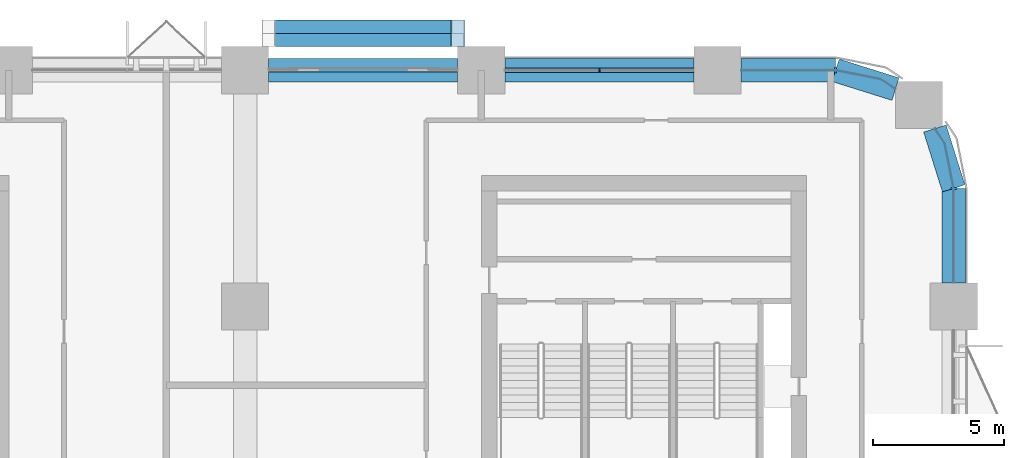
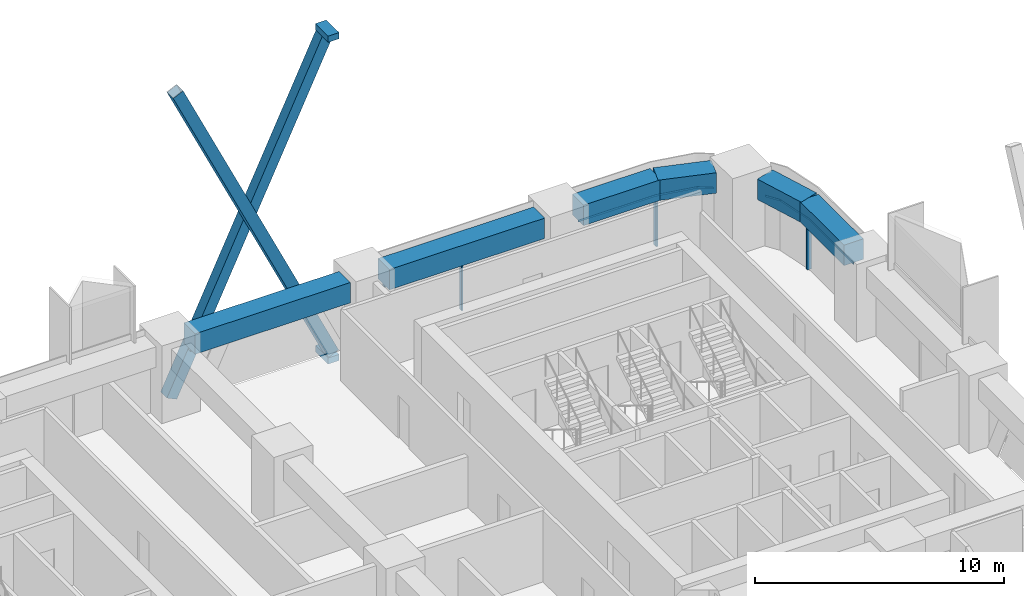
# One storey, part 9 of 19: 11 members, 6 beams, 4 elements without a shape of their own.
"""IFC4 building model written with IfcOpenShell, lengths in metres."""

from ifc_helpers import new_model, si_unit, direction, frame, origin, origin_2d, place, context, subcontext, project, spatial, polyline, rectangle, hollow_rectangle, outline, extrude, material, layer, layer_set, material_profile, profile_set, type_object, element, aggregate, save


model = new_model("IFC4")

# Units and contexts
model_context = context("Model", 3, precision=1e-05, world=origin(), true_north=direction((0.0, 1.0)))
body_context = subcontext(model_context, "Body", "Model", "MODEL_VIEW")
ifc_project = project(units=[si_unit("LENGTHUNIT", "METRE"), si_unit("AREAUNIT", "SQUARE_METRE"), si_unit("VOLUMEUNIT", "CUBIC_METRE"), si_unit("PLANEANGLEUNIT", "RADIAN"), si_unit("MASSUNIT", "GRAM", prefix="KILO")], contexts=[model_context])

# Site, building, storey
site_placement = place(None, origin())
site = spatial("IfcSite", under=ifc_project, at=site_placement, CompositionType="ELEMENT")
building_placement = place(site_placement, origin())
building = spatial("IfcBuilding", under=site, at=building_placement, Name="Tessera Arch", CompositionType="ELEMENT")
storey_placement = place(building_placement, frame((0.0, 0.0, 93.0)))
storey = spatial("IfcBuildingStorey", under=building, at=storey_placement, Name="L21", CompositionType="ELEMENT", Elevation=93.0)

# Members
ifc_material_1 = material(Name="Steel A500 Gr C", Category="steel")
ifc_material_profile_1 = material_profile(ifc_material_1, hollow_rectangle(XDim=0.508056640625, YDim=0.508056640625, WallThickness=0.0146484375, at=origin_2d()), Name="HSS20x20x5/8")
ifc_profile_set_1 = profile_set([ifc_material_profile_1], Name="Steel A500 Gr C")
member_type_1 = type_object("IfcMemberType", Name="Brace HSS20x20x5/8 Steel A500 Gr C", PredefinedType="BRACE", material=ifc_profile_set_1)
for number, where, z_axis, x_axis, name in (
    (1, (35.10009765625, 55.154052734375, -0.800048828125), (-0.428096952335, 0.0, 0.903732814167), (0.0, -1.0, 0.0), "Brace N54.0-1 A L21-L24"),
    (2, (27.89990234375, 55.662109375, -0.800048828125), (0.428096952335, 0.0, 0.903732814167), (0.0, 1.0, 0.0), "Brace N54.0-1 B L21-L24"),
):
    element("IfcMember", number, at=place(storey_placement, frame(where, z_axis=z_axis, x_axis=x_axis)), inside=storey, type_object=member_type_1, Name=name, PredefinedType="BRACE", context=body_context, shape_type="SweptSolid", body=[
        extrude(hollow_rectangle(XDim=0.508056640625, YDim=0.508056640625, WallThickness=0.0146484375, at=origin_2d()), origin(), (0.0, 0.0, 1.0), 16.819091796875),
    ])

# Curtain wall, members
ifc_material_2 = material(Name="CW1 curtain wall")
curtain_wall_type_1 = type_object("IfcCurtainWallType", Name="CW1 curtain wall", PredefinedType="NOTDEFINED", material=ifc_material_2)
curtain_wall_1_placement = place(storey_placement, origin())
curtain_wall_1 = element("IfcCurtainWall", 3, at=curtain_wall_1_placement, inside=storey, type_object=curtain_wall_type_1, Name="CW1 curtain wall N54.0/0 L21", PredefinedType="NOTDEFINED")
ifc_material_3 = material(Name="Anodised aluminium pale metal", Category="aluminium")
ifc_material_profile_2 = material_profile(ifc_material_3, rectangle(XDim=0.159912109375, YDim=0.06005859375, at=origin_2d()), Name="AL 60x160")
ifc_profile_set_2 = profile_set([ifc_material_profile_2], Name="Anodised aluminium pale metal")
member_type_2 = type_object("IfcMemberType", Name="CW1 mullion", PredefinedType="MULLION", material=ifc_profile_set_2)
member_1_placement = place(storey_placement, frame((40.5, 54.0, 0.0), z_axis=(0.0, 0.0, 1.0), x_axis=(0.0, -1.0, 0.0)))
member_1 = element("IfcMember", 4, at=member_1_placement, type_object=member_type_2, Name="CW1 mullion N54.0/0 1", PredefinedType="MULLION", context=body_context, shape_type="SweptSolid", body=[
    extrude(rectangle(XDim=0.159912109375, YDim=0.06005859375, at=origin_2d()), origin(), (0.0, 0.0, 1.0), 2.39990234375),
])
ifc_material_4 = material(Name="Anodised aluminium pale metal", Category="aluminium")
ifc_material_profile_3 = material_profile(ifc_material_4, rectangle(XDim=0.159912109375, YDim=0.10009765625, at=origin_2d()), Name="AL 160x100")
ifc_profile_set_3 = profile_set([ifc_material_profile_3], Name="Anodised aluminium pale metal")
member_type_3 = type_object("IfcMemberType", Name="CW1 transom", PredefinedType="USERDEFINED", material=ifc_profile_set_3)
member_2_placement = place(storey_placement, frame((44.10009765625, 54.0, 2.449951171875), z_axis=(-1.0, 0.0, 0.0), x_axis=(0.0, -1.0, 0.0)))
member_2 = element("IfcMember", 5, at=member_2_placement, type_object=member_type_3, Name="CW1 transom N54.0/0 1.1", ObjectType="TRANSOM", PredefinedType="USERDEFINED", context=body_context, shape_type="SweptSolid", body=[
    extrude(rectangle(XDim=0.159912109375, YDim=0.10009765625, at=origin_2d()), origin(), (0.0, 0.0, 1.0), 7.2001953125),
])
aggregate(curtain_wall_1, [member_1, member_2])

# Curtain wall, member
ifc_material_5 = material(Name="CW2 curtain wall")
curtain_wall_type_2 = type_object("IfcCurtainWallType", Name="CW2 curtain wall", PredefinedType="NOTDEFINED", material=ifc_material_5)
curtain_wall_2_placement = place(storey_placement, origin())
curtain_wall_2 = element("IfcCurtainWall", 6, at=curtain_wall_2_placement, inside=storey, type_object=curtain_wall_type_2, Name="CW2 curtain wall E54.0/5 L21", PredefinedType="NOTDEFINED")
ifc_material_6 = material(Name="Anodised aluminium pale metal", Category="aluminium")
ifc_material_profile_4 = material_profile(ifc_material_6, rectangle(XDim=0.199951171875, YDim=0.080078125, at=origin_2d()), Name="AL 80x200")
ifc_profile_set_4 = profile_set([ifc_material_profile_4], Name="Anodised aluminium pale metal")
member_type_4 = type_object("IfcMemberType", Name="CW2 mullion", PredefinedType="MULLION", material=ifc_profile_set_4)
member_3_placement = place(storey_placement, frame((54.0, 49.5, 0.0), z_axis=(0.0, 0.0, 1.0), x_axis=(-1.0, 0.0, 0.0)))
member_3 = element("IfcMember", 7, at=member_3_placement, type_object=member_type_4, Name="CW2 mullion E54.0/5 1", PredefinedType="MULLION", context=body_context, shape_type="SweptSolid", body=[
    extrude(rectangle(XDim=0.199951171875, YDim=0.080078125, at=origin_2d()), origin(), (0.0, 0.0, 1.0), 2.39990234375),
])

curtain_wall_3_placement = place(storey_placement, origin())
curtain_wall_3 = element("IfcCurtainWall", 8, at=curtain_wall_3_placement, inside=storey, type_object=curtain_wall_type_2, Name="CW2 curtain wall N54.0/5 L21", PredefinedType="NOTDEFINED")
member_4_placement = place(storey_placement, frame((49.5, 54.0, 0.0), z_axis=(0.0, 0.0, 1.0), x_axis=(0.0, -1.0, 0.0)))
member_4 = element("IfcMember", 9, at=member_4_placement, type_object=member_type_4, Name="CW2 mullion N54.0/5 1", PredefinedType="MULLION", context=body_context, shape_type="SweptSolid", body=[
    extrude(rectangle(XDim=0.199951171875, YDim=0.080078125, at=origin_2d()), origin(), (0.0, 0.0, 1.0), 2.39990234375),
])

# Member
ifc_material_7 = material(Name="Anodised aluminium pale metal", Category="aluminium")
ifc_material_profile_5 = material_profile(ifc_material_7, rectangle(XDim=0.199951171875, YDim=0.10009765625, at=origin_2d()), Name="AL 200x100")
ifc_profile_set_5 = profile_set([ifc_material_profile_5], Name="Anodised aluminium pale metal")
member_type_5 = type_object("IfcMemberType", Name="CW2 transom", PredefinedType="USERDEFINED", material=ifc_profile_set_5)
member_5_placement = place(storey_placement, frame((0.0, 0.0, 2.39990234375)))
member_5 = element("IfcMember", 10, at=member_5_placement, type_object=member_type_5, Name="CW2 transom E54.0/5 1", ObjectType="TRANSOM", PredefinedType="USERDEFINED", context=body_context, shape_type="SweptSolid", body=[
    extrude(outline(polyline([(53.989990234375, 49.4990234375), (53.989990234375, 45.89990234375), (54.010009765625, 45.89990234375), (54.010009765625, 49.5009765625), (53.6669921875, 51.22607421875), (53.29150390625, 51.78759765625), (53.27490234375, 51.7763671875), (53.648193359375, 51.21826171875), (53.989990234375, 49.4990234375)])), origin(), (0.0, 0.0, 1.0), 0.10009765625),
])

aggregate(curtain_wall_2, [member_3, member_5])

member_6_placement = place(storey_placement, frame((0.0, 0.0, 2.39990234375)))
member_6 = element("IfcMember", 11, at=member_6_placement, type_object=member_type_5, Name="CW2 transom N54.0/5 1", ObjectType="TRANSOM", PredefinedType="USERDEFINED", context=body_context, shape_type="SweptSolid", body=[
    extrude(outline(polyline([(51.21826171875, 53.648193359375), (51.7763671875, 53.27490234375), (51.78759765625, 53.29150390625), (51.22607421875, 53.6669921875), (49.5009765625, 54.010009765625), (45.89990234375, 54.010009765625), (45.89990234375, 53.989990234375), (49.4990234375, 53.989990234375), (51.21826171875, 53.648193359375)])), origin(), (0.0, 0.0, 1.0), 0.10009765625),
])

aggregate(curtain_wall_3, [member_4, member_6])

# Curtain wall, member
ifc_material_8 = material(Name="CW3 curtain wall")
curtain_wall_type_3 = type_object("IfcCurtainWallType", Name="CW3 curtain wall", PredefinedType="NOTDEFINED", material=ifc_material_8)
curtain_wall_4_placement = place(storey_placement, origin())
curtain_wall_4 = element("IfcCurtainWall", 12, at=curtain_wall_4_placement, inside=storey, type_object=curtain_wall_type_3, Name="CW3 curtain wall N54.0/1 L21", PredefinedType="NOTDEFINED")
ifc_material_9 = material(Name="Anodised aluminium pale metal", Category="aluminium")
ifc_material_profile_6 = material_profile(ifc_material_9, rectangle(XDim=0.139892578125, YDim=0.10009765625, at=origin_2d()), Name="AL 140x100")
ifc_profile_set_6 = profile_set([ifc_material_profile_6], Name="Anodised aluminium pale metal")
member_type_6 = type_object("IfcMemberType", Name="CW3 transom", PredefinedType="USERDEFINED", material=ifc_profile_set_6)
member_7_placement = place(storey_placement, frame((35.10009765625, 54.0, 2.449951171875), z_axis=(-1.0, 0.0, 0.0), x_axis=(0.0, -1.0, 0.0)))
member_7 = element("IfcMember", 13, at=member_7_placement, type_object=member_type_6, Name="CW3 transom N54.0/1 1.1", ObjectType="TRANSOM", PredefinedType="USERDEFINED", context=body_context, shape_type="SweptSolid", body=[
    extrude(rectangle(XDim=0.139892578125, YDim=0.10009765625, at=origin_2d()), origin(), (0.0, 0.0, 1.0), 7.2001953125),
])
aggregate(curtain_wall_4, [member_7])

# Members
ifc_material_10 = material(Name="Steel A572 Gr50", Category="steel")
ifc_layer = layer(ifc_material_10, 0.050048828125)
ifc_layer_set = layer_set([ifc_layer], Name="Node block Steel A572 Gr50")
member_type_7 = type_object("IfcMemberType", Name="Node block Steel A572 Gr50", PredefinedType="PLATE", material=ifc_layer_set)
for number, where, z_axis, x_axis, name in (
    (14, (35.10009765625, 55.407958984375, -1.2314453125), (0.0, 0.0, 1.0), (-1.0, 0.0, 0.0), "Node block seat N54.0-1 2 L21"),
    (15, (35.10009765625, 55.407958984375, 14.53125), (0.0, 0.0, 1.0), (-1.0, 0.0, 0.0), "Node block head N54.0-1 B L21"),
):
    element("IfcMember", number, at=place(storey_placement, frame(where, z_axis=z_axis, x_axis=x_axis)), inside=storey, type_object=member_type_7, Name=name, PredefinedType="PLATE", context=body_context, shape_type="SweptSolid", body=[
        extrude(rectangle(XDim=0.508056640625, YDim=1.01611328125, at=origin_2d()), origin(), (0.0, 0.0, 1.0), 0.300048828125),
    ])

# Beams
ifc_material_11 = material(Name="Concrete C80/95", Category="concrete")
ifc_material_profile_7 = material_profile(ifc_material_11, rectangle(XDim=0.89990234375, YDim=1.0, at=origin_2d()), Name="RC spandrel beam 900 x 1000 Concrete C80/95")
ifc_profile_set_7 = profile_set([ifc_material_profile_7], Name="Concrete C80/95")
beam_type = type_object("IfcBeamType", Name="RC spandrel beam 900 x 1000 Concrete C80/95", PredefinedType="BEAM", material=ifc_profile_set_7)
for number, where, z_axis, x_axis, name in (
    (16, (44.10009765625, 54.0, 3.0), (-1.0, 0.0, 0.0), (0.0, -1.0, 0.0), "Spandrel beam L21 N54.0/0"),
    (17, (35.10009765625, 54.0, 3.0), (-1.0, 0.0, 0.0), (0.0, -1.0, 0.0), "Spandrel beam L21 N54.0/1"),
):
    element("IfcBeam", number, at=place(storey_placement, frame(where, z_axis=z_axis, x_axis=x_axis)), inside=storey, type_object=beam_type, Name=name, PredefinedType="BEAM", context=body_context, shape_type="SweptSolid", body=[
        extrude(rectangle(XDim=0.89990234375, YDim=1.0, at=origin_2d()), origin(), (0.0, 0.0, 1.0), 7.2001953125),
    ])
beam_1_placement = place(storey_placement, frame((54.0, 45.89990234375, 3.0), z_axis=(0.0, 1.0, 0.0), x_axis=(-1.0, 0.0, 0.0)))
element("IfcBeam", 18, at=beam_1_placement, inside=storey, type_object=beam_type, Name="Spandrel beam L21 E54.0/5.1", PredefinedType="BEAM", context=body_context, shape_type="SweptSolid", body=[
    extrude(rectangle(XDim=0.89990234375, YDim=1.0, at=origin_2d()), origin(), (0.0, 0.0, 1.0), 3.60009765625),
])
for number, where, z_axis, x_axis, name in (
    (19, (54.0, 49.5, 3.0), (-0.299675309057, 0.954041251279, 0.0), (-0.954041251279, -0.299675309057, 0.0), "Spandrel beam L21 E54.0/5.2"),
    (20, (51.781982421875, 53.283203125, 3.0), (-0.954041251279, 0.299675309057, 0.0), (-0.299675309057, -0.954041251279, 0.0), "Spandrel beam L21 N54.0/5.1"),
):
    element("IfcBeam", number, at=place(storey_placement, frame(where, z_axis=z_axis, x_axis=x_axis)), inside=storey, type_object=beam_type, Name=name, PredefinedType="BEAM", context=body_context, shape_type="SweptSolid", body=[
        extrude(rectangle(XDim=0.89990234375, YDim=1.0, at=origin_2d()), origin(), (0.0, 0.0, 1.0), 2.391845703125),
    ])
beam_2_placement = place(storey_placement, frame((49.5, 54.0, 3.0), z_axis=(-1.0, 0.0, 0.0), x_axis=(0.0, -1.0, 0.0)))
element("IfcBeam", 21, at=beam_2_placement, inside=storey, type_object=beam_type, Name="Spandrel beam L21 N54.0/5.2", PredefinedType="BEAM", context=body_context, shape_type="SweptSolid", body=[
    extrude(rectangle(XDim=0.89990234375, YDim=1.0, at=origin_2d()), origin(), (0.0, 0.0, 1.0), 3.60009765625),
])

save(model, "model.ifc")
